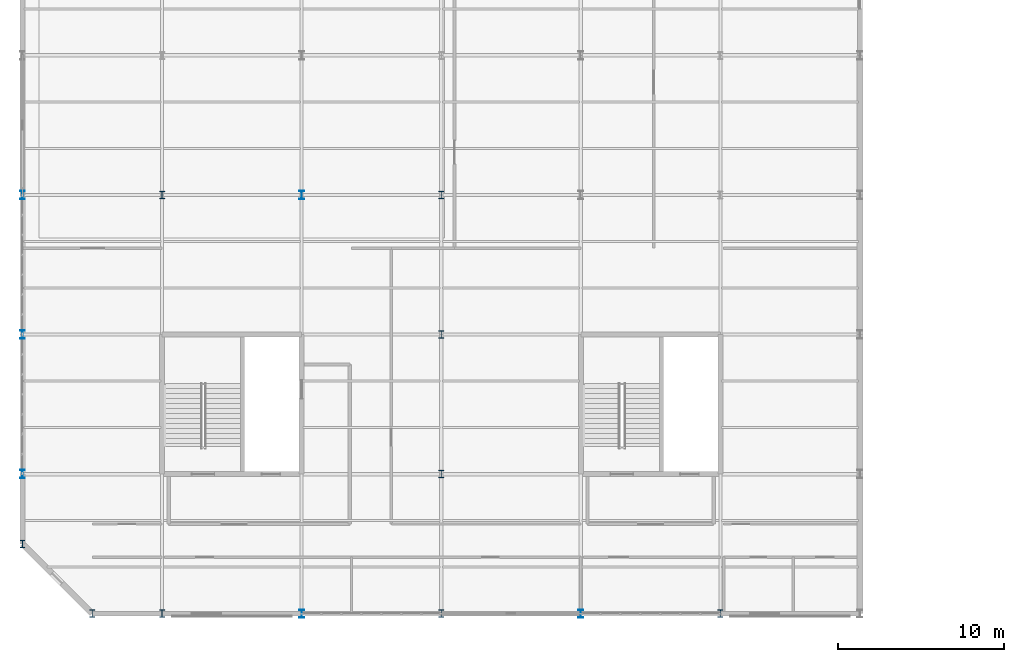
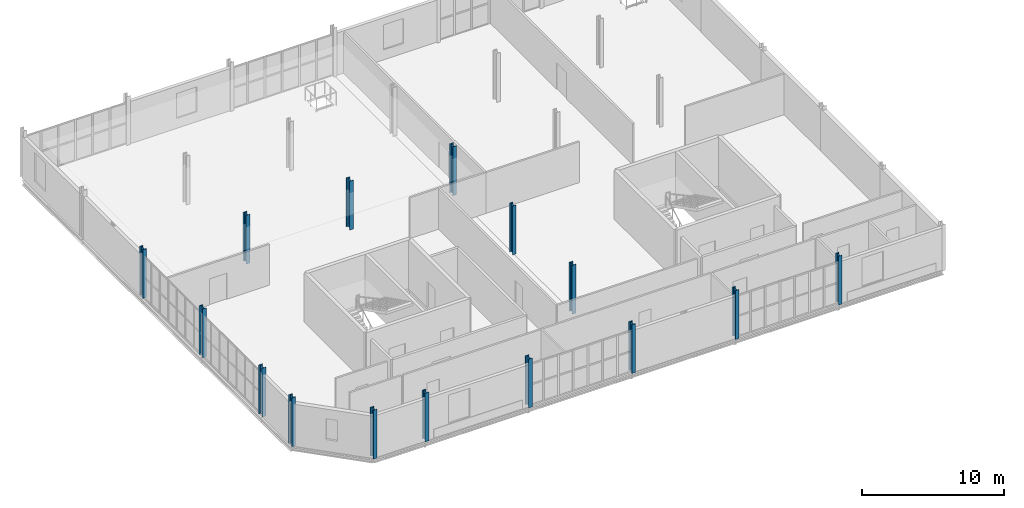
# One storey, part 1 of 65: 15 columns.
"""IFC4 building model written with IfcOpenShell, lengths in metres."""

from ifc_helpers import new_model, si_unit, direction, frame, origin, origin_2d, place, context, subcontext, project, spatial, i_section, extrude, material, material_profile, profile_set, type_object, element, save


model = new_model("IFC4")

# Units and contexts
model_context = context("Model", 3, precision=1e-05, world=origin(), true_north=direction((0.0, 1.0)))
body_context = subcontext(model_context, "Body", "Model", "MODEL_VIEW")
ifc_project = project(units=[si_unit("LENGTHUNIT", "METRE"), si_unit("AREAUNIT", "SQUARE_METRE"), si_unit("VOLUMEUNIT", "CUBIC_METRE"), si_unit("PLANEANGLEUNIT", "RADIAN"), si_unit("MASSUNIT", "GRAM", prefix="KILO")], contexts=[model_context])

# Site, building, storey
site_placement = place(None, origin())
site = spatial("IfcSite", under=ifc_project, at=site_placement, CompositionType="ELEMENT")
building_placement = place(site_placement, origin())
building = spatial("IfcBuilding", under=site, at=building_placement, Name="Qalvenar Corner Mobility Hub", CompositionType="ELEMENT")
storey_placement = place(building_placement, frame((0.0, 0.0, 17.39990234375)))
storey = spatial("IfcBuildingStorey", under=building, at=storey_placement, Name="L04", CompositionType="ELEMENT", Elevation=17.39990234375)

# Columns
ifc_material = material(Name="Steel S355", Category="steel")
ifc_material_profile_1 = material_profile(ifc_material, i_section(OverallWidth=0.300048828125, OverallDepth=0.449951171875, WebThickness=0.013916015625, FlangeThickness=0.02587890625, FilletRadius=0.027099609375, at=origin_2d()), Name="HEB450")
ifc_profile_set_1 = profile_set([ifc_material_profile_1], Name="Steel S355")
column_type_1 = type_object("IfcColumnType", Name="COL-HEB450", PredefinedType="COLUMN", material=ifc_profile_set_1)
for number, where, z_axis, x_axis, name in (
    (1, (8.39990234375, 0.0, 0.0), (0.0, 0.0, 1.0), (1.0, 0.0, 0.0), "Steel Column L04-G2-0"),
    (2, (8.39990234375, 25.199951171875, 0.0), (0.0, 0.0, 1.0), (1.0, 0.0, 0.0), "Steel Column L04-G2-3"),
    (3, (25.199951171875, 0.0, 0.0), (0.0, 0.0, 1.0), (1.0, 0.0, 0.0), "Steel Column L04-G4-0"),
    (4, (25.199951171875, 8.39990234375, 0.0), (0.0, 0.0, 1.0), (1.0, 0.0, 0.0), "Steel Column L04-G4-1"),
    (5, (25.199951171875, 16.800048828125, 0.0), (0.0, 0.0, 1.0), (1.0, 0.0, 0.0), "Steel Column L04-G4-2"),
    (6, (25.199951171875, 25.199951171875, 0.0), (0.0, 0.0, 1.0), (1.0, 0.0, 0.0), "Steel Column L04-G4-3"),
    (7, (42.0, 0.0, 0.0), (0.0, 0.0, 1.0), (1.0, 0.0, 0.0), "Steel Column L04-G6-0"),
    (8, (4.199951171875, 0.0, 0.0), (0.0, 0.0, 1.0), (1.0, 0.0, 0.0), "Steel Column L04-SPL-S"),
    (9, (0.0, 4.199951171875, 0.0), (0.0, 0.0, 1.0), (1.0, 0.0, 0.0), "Steel Column L04-SPL-W"),
):
    element("IfcColumn", number, at=place(storey_placement, frame(where, z_axis=z_axis, x_axis=x_axis)), inside=storey, type_object=column_type_1, Name=name, PredefinedType="COLUMN", context=body_context, shape_type="SweptSolid", body=[
        extrude(i_section(OverallWidth=0.300048828125, OverallDepth=0.449951171875, WebThickness=0.013916015625, FlangeThickness=0.02587890625, FilletRadius=0.027099609375, at=origin_2d()), origin(), (0.0, 0.0, 1.0), 4.2001953125),
    ])
ifc_material_profile_2 = material_profile(ifc_material, i_section(OverallWidth=0.300048828125, OverallDepth=0.5, WebThickness=0.014404296875, FlangeThickness=0.028076171875, FilletRadius=0.027099609375, at=origin_2d()), Name="HEB500")
ifc_profile_set_2 = profile_set([ifc_material_profile_2], Name="Steel S355")
column_type_2 = type_object("IfcColumnType", Name="COL-HEB500", PredefinedType="COLUMN", material=ifc_profile_set_2)
for number, where, z_axis, x_axis, name in (
    (10, (0.0, 8.39990234375, 0.0), (0.0, 0.0, 1.0), (1.0, 0.0, 0.0), "Steel Column L04-G1-1"),
    (11, (0.0, 16.800048828125, 0.0), (0.0, 0.0, 1.0), (1.0, 0.0, 0.0), "Steel Column L04-G1-2"),
    (12, (0.0, 25.199951171875, 0.0), (0.0, 0.0, 1.0), (1.0, 0.0, 0.0), "Steel Column L04-G1-3"),
    (13, (16.800048828125, 0.0, 0.0), (0.0, 0.0, 1.0), (1.0, 0.0, 0.0), "Steel Column L04-G3-0"),
    (14, (16.800048828125, 25.199951171875, 0.0), (0.0, 0.0, 1.0), (1.0, 0.0, 0.0), "Steel Column L04-G3-3"),
    (15, (33.60009765625, 0.0, 0.0), (0.0, 0.0, 1.0), (1.0, 0.0, 0.0), "Steel Column L04-G5-0"),
):
    element("IfcColumn", number, at=place(storey_placement, frame(where, z_axis=z_axis, x_axis=x_axis)), inside=storey, type_object=column_type_2, Name=name, PredefinedType="COLUMN", context=body_context, shape_type="SweptSolid", body=[
        extrude(i_section(OverallWidth=0.300048828125, OverallDepth=0.5, WebThickness=0.014404296875, FlangeThickness=0.028076171875, FilletRadius=0.027099609375, at=origin_2d()), origin(), (0.0, 0.0, 1.0), 4.2001953125),
    ])

save(model, "model.ifc")
